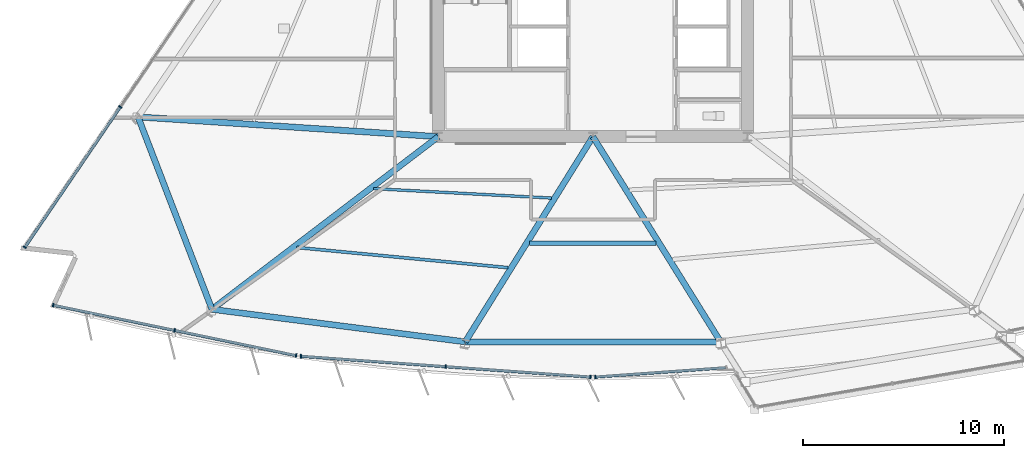
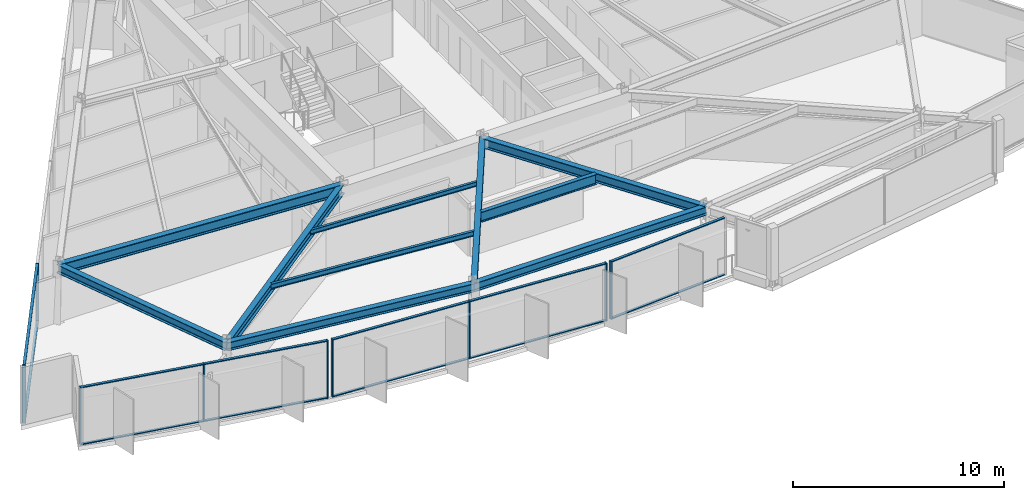
# One storey, part 2 of 15: 21 members, 10 beams, 4 elements without a shape of their own.
"""IFC4 building model written with IfcOpenShell, lengths in metres."""

from ifc_helpers import new_model, si_unit, direction, frame, origin, origin_2d, place, context, subcontext, project, spatial, rectangle, i_section, extrude, material, material_profile, profile_set, type_object, element, aggregate, save


model = new_model("IFC4")

# Units and contexts
model_context = context("Model", 3, precision=1e-05, world=origin(), true_north=direction((0.0, 1.0)))
body_context = subcontext(model_context, "Body", "Model", "MODEL_VIEW")
ifc_project = project(units=[si_unit("LENGTHUNIT", "METRE"), si_unit("AREAUNIT", "SQUARE_METRE"), si_unit("VOLUMEUNIT", "CUBIC_METRE"), si_unit("PLANEANGLEUNIT", "RADIAN"), si_unit("MASSUNIT", "GRAM", prefix="KILO")], contexts=[model_context])

# Site, building, storey
site_placement = place(None, origin())
site = spatial("IfcSite", under=ifc_project, at=site_placement, CompositionType="ELEMENT")
building_placement = place(site_placement, origin())
building = spatial("IfcBuilding", under=site, at=building_placement, Name="Savorim Split Tower", CompositionType="ELEMENT")
storey_placement = place(building_placement, frame((0.0, 0.0, 93.300048828125)))
storey = spatial("IfcBuildingStorey", under=building, at=storey_placement, Name="L24", CompositionType="ELEMENT", Elevation=93.300048828125)

# Beams
ifc_material_1 = material(Name="Steel S355", Category="steel")
ifc_material_profile_1 = material_profile(ifc_material_1, i_section(OverallWidth=0.135009765625, OverallDepth=0.27001953125, WebThickness=0.006591796875, FlangeThickness=0.01025390625, FilletRadius=0.014892578125, at=origin_2d()), Name="IPE 270")
ifc_profile_set_1 = profile_set([ifc_material_profile_1], Name="Steel S355")
beam_type_1 = type_object("IfcBeamType", Name="BM-JST-IPE270", PredefinedType="JOIST", material=ifc_profile_set_1)
beam_1_placement = place(storey_placement, frame((-10.922119140625, -11.98828125, 3.21484375), z_axis=(0.998601734422, -0.052863749486, 0.0), x_axis=(0.052863749486, 0.998601734422, 0.0)))
element("IfcBeam", 1, at=beam_1_placement, inside=storey, type_object=beam_type_1, Name="L24 Secondary Floor Joist JS-02", PredefinedType="JOIST", context=body_context, shape_type="SweptSolid", body=[
    extrude(i_section(OverallWidth=0.135009765625, OverallDepth=0.27001953125, WebThickness=0.006591796875, FlangeThickness=0.01025390625, FilletRadius=0.014892578125, at=origin_2d()), origin(), (0.0, 0.0, 1.0), 8.8671875),
])
ifc_material_profile_2 = material_profile(ifc_material_1, i_section(OverallWidth=0.14990234375, OverallDepth=0.300048828125, WebThickness=0.007080078125, FlangeThickness=0.0107421875, FilletRadius=0.014892578125, at=origin_2d()), Name="IPE 300")
ifc_profile_set_2 = profile_set([ifc_material_profile_2], Name="Steel S355")
beam_type_2 = type_object("IfcBeamType", Name="BM-JST-IPE300", PredefinedType="JOIST", material=ifc_profile_set_2)
beam_2_placement = place(storey_placement, frame((-14.755615234375, -14.91845703125, 3.199951171875), z_axis=(0.995463560845, -0.095143570616, 0.0), x_axis=(0.095143570616, 0.995463560845, 0.0)))
element("IfcBeam", 2, at=beam_2_placement, inside=storey, type_object=beam_type_2, Name="L24 Secondary Floor Joist JS-01", PredefinedType="JOIST", context=body_context, shape_type="SweptSolid", body=[
    extrude(i_section(OverallWidth=0.14990234375, OverallDepth=0.300048828125, WebThickness=0.007080078125, FlangeThickness=0.0107421875, FilletRadius=0.014892578125, at=origin_2d()), origin(), (0.0, 0.0, 1.0), 10.574462890625),
])
ifc_material_profile_3 = material_profile(ifc_material_1, i_section(OverallWidth=0.219970703125, OverallDepth=0.60009765625, WebThickness=0.011962890625, FlangeThickness=0.01904296875, FilletRadius=0.02392578125, at=origin_2d()), Name="IPE 600")
ifc_profile_set_3 = profile_set([ifc_material_profile_3], Name="Steel S355")
beam_type_3 = type_object("IfcBeamType", Name="BM-JST-IPE600", PredefinedType="JOIST", material=ifc_profile_set_3)
beam_3_placement = place(storey_placement, frame((-3.146484375, -14.713623046875, 3.050048828125), z_axis=(1.0, 0.0, 0.0), x_axis=(0.0, 1.0, 0.0)))
element("IfcBeam", 3, at=beam_3_placement, inside=storey, type_object=beam_type_3, Name="L24 Secondary Floor Joist JS-03", PredefinedType="JOIST", context=body_context, shape_type="SweptSolid", body=[
    extrude(i_section(OverallWidth=0.219970703125, OverallDepth=0.60009765625, WebThickness=0.011962890625, FlangeThickness=0.01904296875, FilletRadius=0.02392578125, at=origin_2d()), origin(), (0.0, 0.0, 1.0), 6.29296875),
])
ifc_material_profile_4 = material_profile(ifc_material_1, i_section(OverallWidth=0.300048828125, OverallDepth=0.550048828125, WebThickness=0.014892578125, FlangeThickness=0.029052734375, FilletRadius=0.027099609375, at=origin_2d()), Name="HEB 550")
ifc_profile_set_4 = profile_set([ifc_material_profile_4], Name="Steel S355")
beam_type_4 = type_object("IfcBeamType", Name="BM-PRI-HEB550", PredefinedType="BEAM", material=ifc_profile_set_4)
beam_4_placement = place(storey_placement, frame((-18.973388671875, -17.998779296875, 3.074951171875), z_axis=(0.795105505779, 0.606471132602, 0.0), x_axis=(-0.606471132602, 0.795105505779, 0.0)))
element("IfcBeam", 4, at=beam_4_placement, inside=storey, type_object=beam_type_4, Name="L24 Primary Floor Girder RG-01", PredefinedType="BEAM", context=body_context, shape_type="SweptSolid", body=[
    extrude(i_section(OverallWidth=0.300048828125, OverallDepth=0.550048828125, WebThickness=0.014892578125, FlangeThickness=0.029052734375, FilletRadius=0.027099609375, at=origin_2d()), origin(), (0.0, 0.0, 1.0), 14.178466796875),
])
for number, where, z_axis, x_axis, name in (
    (5, (-6.35888671875, -19.618408203125, 3.074951171875), (0.528344131592, 0.849030316663, 0.0), (-0.849030316663, 0.528344131592, 0.0), "L24 Primary Floor Girder RG-02"),
    (6, (6.35888671875, -19.618408203125, 3.074951171875), (-0.528344131592, 0.849030316663, 0.0), (-0.849030316663, -0.528344131592, 0.0), "L24 Primary Floor Girder RG-03"),
):
    element("IfcBeam", number, at=place(storey_placement, frame(where, z_axis=z_axis, x_axis=x_axis)), inside=storey, type_object=beam_type_4, Name=name, PredefinedType="BEAM", context=body_context, shape_type="SweptSolid", body=[
        extrude(i_section(OverallWidth=0.300048828125, OverallDepth=0.550048828125, WebThickness=0.014892578125, FlangeThickness=0.029052734375, FilletRadius=0.027099609375, at=origin_2d()), origin(), (0.0, 0.0, 1.0), 12.035400390625),
    ])
ifc_material_2 = material(Name="Steel S460", Category="steel")
ifc_material_profile_5 = material_profile(ifc_material_2, i_section(OverallWidth=0.304931640625, OverallDepth=0.6201171875, WebThickness=0.02099609375, FlangeThickness=0.0400390625, FilletRadius=0.027099609375, at=origin_2d()), Name="HE 600 M")
ifc_profile_set_5 = profile_set([ifc_material_profile_5], Name="Steel S460")
beam_type_5 = type_object("IfcBeamType", Name="BM-PRI-HEM600", PredefinedType="BEAM", material=ifc_profile_set_5)
beam_5_placement = place(storey_placement, frame((-22.657958984375, -8.415283203125, 3.0400390625), z_axis=(0.997840513534, -0.065683403915, 0.0), x_axis=(0.065683403915, 0.997840513534, 0.0)))
element("IfcBeam", 7, at=beam_5_placement, inside=storey, type_object=beam_type_5, Name="L24 Primary Floor Girder RG-10", PredefinedType="BEAM", context=body_context, shape_type="SweptSolid", body=[
    extrude(i_section(OverallWidth=0.304931640625, OverallDepth=0.6201171875, WebThickness=0.02099609375, FlangeThickness=0.0400390625, FilletRadius=0.027099609375, at=origin_2d()), origin(), (0.0, 0.0, 1.0), 14.990478515625),
])
ifc_material_profile_6 = material_profile(ifc_material_1, i_section(OverallWidth=0.300048828125, OverallDepth=0.489990234375, WebThickness=0.011962890625, FlangeThickness=0.02294921875, FilletRadius=0.027099609375, at=origin_2d()), Name="HEA 500")
ifc_profile_set_6 = profile_set([ifc_material_profile_6], Name="Steel S355")
beam_type_6 = type_object("IfcBeamType", Name="BM-SPN-HEA500", PredefinedType="SPANDREL", material=ifc_profile_set_6)
beam_6_placement = place(storey_placement, frame((-18.973388671875, -17.998779296875, 3.10498046875), z_axis=(0.991857993508, -0.12734881513, 0.0), x_axis=(0.12734881513, 0.991857993508, 0.0)))
element("IfcBeam", 8, at=beam_6_placement, inside=storey, type_object=beam_type_6, Name="L24 Perimeter Spandrel Beam 1", PredefinedType="SPANDREL", context=body_context, shape_type="SweptSolid", body=[
    extrude(i_section(OverallWidth=0.300048828125, OverallDepth=0.489990234375, WebThickness=0.011962890625, FlangeThickness=0.02294921875, FilletRadius=0.027099609375, at=origin_2d()), origin(), (0.0, 0.0, 1.0), 12.718017578125),
])
beam_7_placement = place(storey_placement, frame((-6.35888671875, -19.618408203125, 3.10498046875), z_axis=(1.0, 0.0, 0.0), x_axis=(0.0, 1.0, 0.0)))
element("IfcBeam", 9, at=beam_7_placement, inside=storey, type_object=beam_type_6, Name="L24 Perimeter Spandrel Beam 2", PredefinedType="SPANDREL", context=body_context, shape_type="SweptSolid", body=[
    extrude(i_section(OverallWidth=0.300048828125, OverallDepth=0.489990234375, WebThickness=0.011962890625, FlangeThickness=0.02294921875, FilletRadius=0.027099609375, at=origin_2d()), origin(), (0.0, 0.0, 1.0), 12.7177734375),
])
beam_8_placement = place(storey_placement, frame((-22.657958984375, -8.415283203125, 3.10498046875), z_axis=(0.358861165801, -0.933390949003, 0.0), x_axis=(0.933390949003, 0.358861165801, 0.0)))
element("IfcBeam", 10, at=beam_8_placement, inside=storey, type_object=beam_type_6, Name="L24 Perimeter Spandrel Beam 10", PredefinedType="SPANDREL", context=body_context, shape_type="SweptSolid", body=[
    extrude(i_section(OverallWidth=0.300048828125, OverallDepth=0.489990234375, WebThickness=0.011962890625, FlangeThickness=0.02294921875, FilletRadius=0.027099609375, at=origin_2d()), origin(), (0.0, 0.0, 1.0), 10.267333984375),
])

# Curtain wall, members
ifc_material_3 = material(Name="Dark Ceramic-Fritted Insulated Glass", Category="glass")
curtain_wall_type = type_object("IfcCurtainWallType", Name="CW-TWR-FRIT-A", PredefinedType="NOTDEFINED", material=ifc_material_3)
curtain_wall_1_placement = place(storey_placement, origin())
curtain_wall_1 = element("IfcCurtainWall", 11, at=curtain_wall_1_placement, inside=storey, type_object=curtain_wall_type, Name="L24 Curtain Wall CW-L24-SF1A", PredefinedType="NOTDEFINED")
ifc_material_4 = material(Name="Charcoal Anodised Aluminium", Category="aluminium")
ifc_material_profile_7 = material_profile(ifc_material_4, rectangle(XDim=0.179931640625, YDim=0.06494140625, at=origin_2d()), Name="ALU-M 180x65")
ifc_profile_set_7 = profile_set([ifc_material_profile_7], Name="Charcoal Anodised Aluminium")
member_type_1 = type_object("IfcMemberType", Name="CWM-180x65", PredefinedType="MULLION", material=ifc_profile_set_7)
member_1_placement = place(storey_placement, frame((-26.882568359375, -17.792724609375, 0.0), z_axis=(0.0, 0.0, 1.0), x_axis=(0.203212378529, 0.979134683898, 0.0)))
member_1 = element("IfcMember", 12, at=member_1_placement, type_object=member_type_1, Name="CW-02 mullion 1", PredefinedType="MULLION", context=body_context, shape_type="SweptSolid", body=[
    extrude(rectangle(XDim=0.179931640625, YDim=0.06494140625, at=origin_2d()), origin(), (0.0, 0.0, 1.0), 3.349853515625),
])
member_2_placement = place(storey_placement, frame((-20.83447265625, -19.0478515625, 0.0), z_axis=(0.0, 0.0, 1.0), x_axis=(0.203212378529, 0.979134683898, 0.0)))
member_2 = element("IfcMember", 13, at=member_2_placement, type_object=member_type_1, Name="CW-02 mullion 2", PredefinedType="MULLION", context=body_context, shape_type="SweptSolid", body=[
    extrude(rectangle(XDim=0.179931640625, YDim=0.06494140625, at=origin_2d()), origin(), (0.0, 0.0, 1.0), 3.349853515625),
])
member_3_placement = place(storey_placement, frame((-14.786376953125, -20.302978515625, 0.0), z_axis=(0.0, 0.0, 1.0), x_axis=(0.203212378529, 0.979134683898, 0.0)))
member_3 = element("IfcMember", 14, at=member_3_placement, type_object=member_type_1, Name="CW-02 mullion 3", PredefinedType="MULLION", context=body_context, shape_type="SweptSolid", body=[
    extrude(rectangle(XDim=0.179931640625, YDim=0.06494140625, at=origin_2d()), origin(), (0.0, 0.0, 1.0), 3.349853515625),
])

curtain_wall_2_placement = place(storey_placement, origin())
curtain_wall_2 = element("IfcCurtainWall", 15, at=curtain_wall_2_placement, inside=storey, type_object=curtain_wall_type, Name="L24 Curtain Wall CW-L24-SF2A", PredefinedType="NOTDEFINED")
member_4_placement = place(storey_placement, frame((-14.540283203125, -20.33740234375, 0.0), z_axis=(0.0, 0.0, 1.0), x_axis=(0.071562268211, 0.99743613418, 0.0)))
member_4 = element("IfcMember", 16, at=member_4_placement, type_object=member_type_1, Name="CW-02 mullion 1", PredefinedType="MULLION", context=body_context, shape_type="SweptSolid", body=[
    extrude(rectangle(XDim=0.179931640625, YDim=0.06494140625, at=origin_2d()), origin(), (0.0, 0.0, 1.0), 3.349853515625),
])
member_5_placement = place(storey_placement, frame((-7.33203125, -20.8544921875, 0.0), z_axis=(0.0, 0.0, 1.0), x_axis=(0.071562268211, 0.99743613418, 0.0)))
member_5 = element("IfcMember", 17, at=member_5_placement, type_object=member_type_1, Name="CW-02 mullion 2", PredefinedType="MULLION", context=body_context, shape_type="SweptSolid", body=[
    extrude(rectangle(XDim=0.179931640625, YDim=0.06494140625, at=origin_2d()), origin(), (0.0, 0.0, 1.0), 3.349853515625),
])
member_6_placement = place(storey_placement, frame((-0.12353515625, -21.37158203125, 0.0), z_axis=(0.0, 0.0, 1.0), x_axis=(0.071562268211, 0.99743613418, 0.0)))
member_6 = element("IfcMember", 18, at=member_6_placement, type_object=member_type_1, Name="CW-02 mullion 3", PredefinedType="MULLION", context=body_context, shape_type="SweptSolid", body=[
    extrude(rectangle(XDim=0.179931640625, YDim=0.06494140625, at=origin_2d()), origin(), (0.0, 0.0, 1.0), 3.349853515625),
])

# Curtain wall, member
curtain_wall_3_placement = place(storey_placement, origin())
curtain_wall_3 = element("IfcCurtainWall", 19, at=curtain_wall_3_placement, inside=storey, type_object=curtain_wall_type, Name="L24 Curtain Wall CW-L24-SF3A", PredefinedType="NOTDEFINED")
member_7_placement = place(storey_placement, frame((0.12353515625, -21.37158203125, 0.0), z_axis=(0.0, 0.0, 1.0), x_axis=(-0.071568692624, 0.997435673232, 0.0)))
member_7 = element("IfcMember", 20, at=member_7_placement, type_object=member_type_1, Name="CW-02 mullion 1", PredefinedType="MULLION", context=body_context, shape_type="SweptSolid", body=[
    extrude(rectangle(XDim=0.179931640625, YDim=0.06494140625, at=origin_2d()), origin(), (0.0, 0.0, 1.0), 3.349853515625),
])

# Curtain wall, members
curtain_wall_4_placement = place(storey_placement, origin())
curtain_wall_4 = element("IfcCurtainWall", 21, at=curtain_wall_4_placement, inside=storey, type_object=curtain_wall_type, Name="L24 Curtain Wall CW-L24-WEST", PredefinedType="NOTDEFINED")
member_8_placement = place(storey_placement, frame((-23.539306640625, -7.917236328125, 0.0), z_axis=(0.0, 0.0, 1.0), x_axis=(0.826819383915, -0.562467515846, 0.0)))
member_8 = element("IfcMember", 22, at=member_8_placement, type_object=member_type_1, Name="CW-02 mullion 4", PredefinedType="MULLION", context=body_context, shape_type="SweptSolid", body=[
    extrude(rectangle(XDim=0.179931640625, YDim=0.06494140625, at=origin_2d()), origin(), (0.0, 0.0, 1.0), 3.349853515625),
])
member_9_placement = place(storey_placement, frame((-28.294921875, -14.908203125, 0.0), z_axis=(0.0, 0.0, 1.0), x_axis=(0.826819383915, -0.562467515846, 0.0)))
member_9 = element("IfcMember", 23, at=member_9_placement, type_object=member_type_1, Name="CW-02 mullion 5", PredefinedType="MULLION", context=body_context, shape_type="SweptSolid", body=[
    extrude(rectangle(XDim=0.179931640625, YDim=0.06494140625, at=origin_2d()), origin(), (0.0, 0.0, 1.0), 3.349853515625),
])

# Member
ifc_material_profile_8 = material_profile(ifc_material_4, rectangle(XDim=0.139892578125, YDim=0.054931640625, at=origin_2d()), Name="ALU-T 140x55")
ifc_profile_set_8 = profile_set([ifc_material_profile_8], Name="Charcoal Anodised Aluminium")
member_type_2 = type_object("IfcMemberType", Name="CWT-140x55", PredefinedType="USERDEFINED", material=ifc_profile_set_8)
member_10_placement = place(storey_placement, frame((-26.850830078125, -17.79931640625, 0.02734375), z_axis=(0.979136986613, -0.203201283082, 0.0), x_axis=(0.203201283082, 0.979136986613, 0.0)))
member_10 = element("IfcMember", 24, at=member_10_placement, type_object=member_type_2, Name="CW-02 transom 1.1", ObjectType="TRANSOM", PredefinedType="USERDEFINED", context=body_context, shape_type="SweptSolid", body=[
    extrude(rectangle(XDim=0.139892578125, YDim=0.054931640625, at=origin_2d()), origin(), (0.0, 0.0, 1.0), 6.11181640625),
])

member_11_placement = place(storey_placement, frame((-26.850830078125, -17.79931640625, 3.322509765625), z_axis=(0.979136986613, -0.203201283082, 0.0), x_axis=(0.203201283082, 0.979136986613, 0.0)))
member_11 = element("IfcMember", 25, at=member_11_placement, type_object=member_type_2, Name="CW-02 transom 1.2", ObjectType="TRANSOM", PredefinedType="USERDEFINED", context=body_context, shape_type="SweptSolid", body=[
    extrude(rectangle(XDim=0.139892578125, YDim=0.054931640625, at=origin_2d()), origin(), (0.0, 0.0, 1.0), 6.11181640625),
])

member_12_placement = place(storey_placement, frame((-20.802734375, -19.054443359375, 0.02734375), z_axis=(0.979136986613, -0.203201283082, 0.0), x_axis=(0.203201283082, 0.979136986613, 0.0)))
member_12 = element("IfcMember", 26, at=member_12_placement, type_object=member_type_2, Name="CW-02 transom 2.1", ObjectType="TRANSOM", PredefinedType="USERDEFINED", context=body_context, shape_type="SweptSolid", body=[
    extrude(rectangle(XDim=0.139892578125, YDim=0.054931640625, at=origin_2d()), origin(), (0.0, 0.0, 1.0), 6.11181640625),
])

member_13_placement = place(storey_placement, frame((-20.802734375, -19.054443359375, 3.322509765625), z_axis=(0.979136986613, -0.203201283082, 0.0), x_axis=(0.203201283082, 0.979136986613, 0.0)))
member_13 = element("IfcMember", 27, at=member_13_placement, type_object=member_type_2, Name="CW-02 transom 2.2", ObjectType="TRANSOM", PredefinedType="USERDEFINED", context=body_context, shape_type="SweptSolid", body=[
    extrude(rectangle(XDim=0.139892578125, YDim=0.054931640625, at=origin_2d()), origin(), (0.0, 0.0, 1.0), 6.11181640625),
])

aggregate(curtain_wall_1, [member_1, member_2, member_3, member_10, member_11, member_12, member_13])

member_14_placement = place(storey_placement, frame((-14.508056640625, -20.339599609375, 0.02734375), z_axis=(0.997434416722, -0.071586202157, 0.0), x_axis=(0.071586202157, 0.997434416722, 0.0)))
member_14 = element("IfcMember", 28, at=member_14_placement, type_object=member_type_2, Name="CW-02 transom 1.1", ObjectType="TRANSOM", PredefinedType="USERDEFINED", context=body_context, shape_type="SweptSolid", body=[
    extrude(rectangle(XDim=0.139892578125, YDim=0.054931640625, at=origin_2d()), origin(), (0.0, 0.0, 1.0), 7.161865234375),
])

member_15_placement = place(storey_placement, frame((-14.508056640625, -20.339599609375, 3.322509765625), z_axis=(0.997434416722, -0.071586202157, 0.0), x_axis=(0.071586202157, 0.997434416722, 0.0)))
member_15 = element("IfcMember", 29, at=member_15_placement, type_object=member_type_2, Name="CW-02 transom 1.2", ObjectType="TRANSOM", PredefinedType="USERDEFINED", context=body_context, shape_type="SweptSolid", body=[
    extrude(rectangle(XDim=0.139892578125, YDim=0.054931640625, at=origin_2d()), origin(), (0.0, 0.0, 1.0), 7.161865234375),
])

member_16_placement = place(storey_placement, frame((-7.299560546875, -20.85693359375, 0.02734375), z_axis=(0.997436850168, -0.071552288055, 0.0), x_axis=(0.071552288055, 0.997436850168, 0.0)))
member_16 = element("IfcMember", 30, at=member_16_placement, type_object=member_type_2, Name="CW-02 transom 2.1", ObjectType="TRANSOM", PredefinedType="USERDEFINED", context=body_context, shape_type="SweptSolid", body=[
    extrude(rectangle(XDim=0.139892578125, YDim=0.054931640625, at=origin_2d()), origin(), (0.0, 0.0, 1.0), 7.161865234375),
])

member_17_placement = place(storey_placement, frame((-7.299560546875, -20.85693359375, 3.322509765625), z_axis=(0.997436850168, -0.071552288055, 0.0), x_axis=(0.071552288055, 0.997436850168, 0.0)))
member_17 = element("IfcMember", 31, at=member_17_placement, type_object=member_type_2, Name="CW-02 transom 2.2", ObjectType="TRANSOM", PredefinedType="USERDEFINED", context=body_context, shape_type="SweptSolid", body=[
    extrude(rectangle(XDim=0.139892578125, YDim=0.054931640625, at=origin_2d()), origin(), (0.0, 0.0, 1.0), 7.161865234375),
])

aggregate(curtain_wall_2, [member_4, member_5, member_6, member_14, member_15, member_16, member_17])

member_18_placement = place(storey_placement, frame((0.156005859375, -21.369384765625, 0.02734375), z_axis=(0.997434339448, 0.071587278832, 0.0), x_axis=(-0.071587278832, 0.997434339448, 0.0)))
member_18 = element("IfcMember", 32, at=member_18_placement, type_object=member_type_2, Name="CW-02 transom 1.1", ObjectType="TRANSOM", PredefinedType="USERDEFINED", context=body_context, shape_type="SweptSolid", body=[
    extrude(rectangle(XDim=0.139892578125, YDim=0.054931640625, at=origin_2d()), origin(), (0.0, 0.0, 1.0), 6.476318359375),
])

member_19_placement = place(storey_placement, frame((0.156005859375, -21.369384765625, 3.322509765625), z_axis=(0.997434339448, 0.071587278832, 0.0), x_axis=(-0.071587278832, 0.997434339448, 0.0)))
member_19 = element("IfcMember", 33, at=member_19_placement, type_object=member_type_2, Name="CW-02 transom 1.2", ObjectType="TRANSOM", PredefinedType="USERDEFINED", context=body_context, shape_type="SweptSolid", body=[
    extrude(rectangle(XDim=0.139892578125, YDim=0.054931640625, at=origin_2d()), origin(), (0.0, 0.0, 1.0), 6.476318359375),
])

aggregate(curtain_wall_3, [member_7, member_18, member_19])

member_20_placement = place(storey_placement, frame((-23.5576171875, -7.9443359375, 0.02734375), z_axis=(-0.562478744219, -0.826811745382, 0.0), x_axis=(0.826811745382, -0.562478744219, 0.0)))
member_20 = element("IfcMember", 34, at=member_20_placement, type_object=member_type_2, Name="CW-02 transom 4.1", ObjectType="TRANSOM", PredefinedType="USERDEFINED", context=body_context, shape_type="SweptSolid", body=[
    extrude(rectangle(XDim=0.139892578125, YDim=0.054931640625, at=origin_2d()), origin(), (0.0, 0.0, 1.0), 8.39013671875),
])

member_21_placement = place(storey_placement, frame((-23.5576171875, -7.9443359375, 3.322509765625), z_axis=(-0.562478744219, -0.826811745382, 0.0), x_axis=(0.826811745382, -0.562478744219, 0.0)))
member_21 = element("IfcMember", 35, at=member_21_placement, type_object=member_type_2, Name="CW-02 transom 4.2", ObjectType="TRANSOM", PredefinedType="USERDEFINED", context=body_context, shape_type="SweptSolid", body=[
    extrude(rectangle(XDim=0.139892578125, YDim=0.054931640625, at=origin_2d()), origin(), (0.0, 0.0, 1.0), 8.39013671875),
])

aggregate(curtain_wall_4, [member_8, member_9, member_20, member_21])

save(model, "model.ifc")
